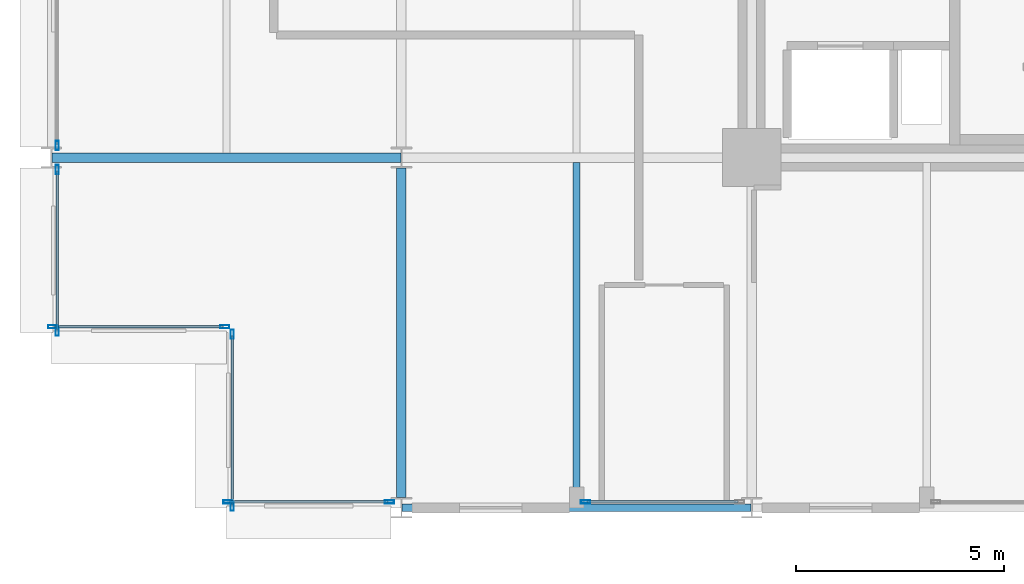
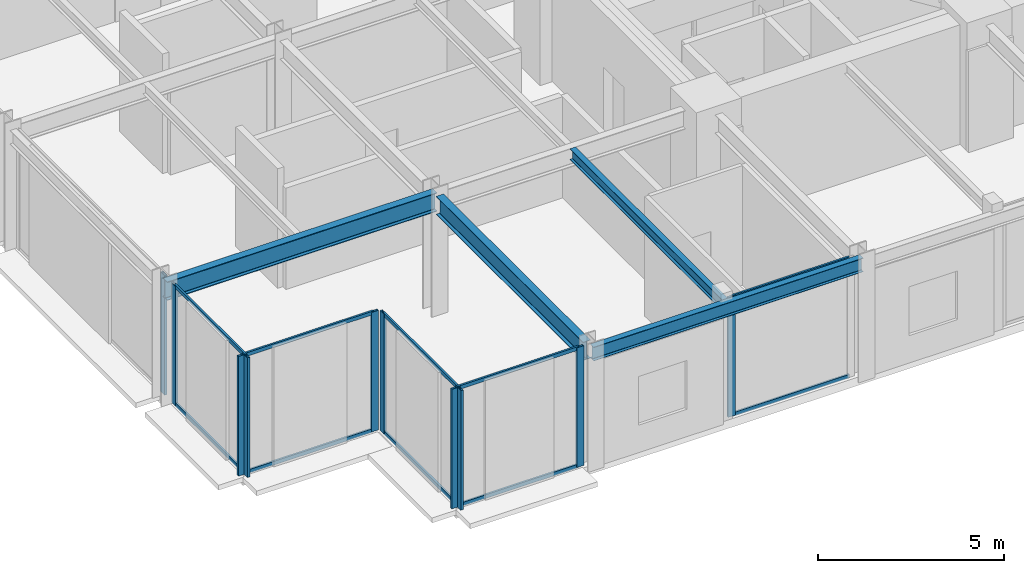
# One storey, part 4 of 27: 20 members, 4 beams, 6 elements without a shape of their own.
"""IFC4 building model written with IfcOpenShell, lengths in metres."""

from ifc_helpers import new_model, si_unit, direction, frame, origin, origin_2d, place, context, subcontext, project, spatial, hollow_rectangle, i_section, extrude, material, layer, layer_set, material_profile, profile_set, type_object, element, aggregate, save


model = new_model("IFC4")

# Units and contexts
model_context = context("Model", 3, precision=1e-05, world=origin(), true_north=direction((0.0, 1.0)))
body_context = subcontext(model_context, "Body", "Model", "MODEL_VIEW")
ifc_project = project(units=[si_unit("LENGTHUNIT", "METRE"), si_unit("AREAUNIT", "SQUARE_METRE"), si_unit("VOLUMEUNIT", "CUBIC_METRE"), si_unit("PLANEANGLEUNIT", "RADIAN"), si_unit("MASSUNIT", "GRAM", prefix="KILO")], contexts=[model_context])

# Site, building, storey
site_placement = place(None, origin())
site = spatial("IfcSite", under=ifc_project, at=site_placement, CompositionType="ELEMENT")
building_placement = place(site_placement, origin())
building = spatial("IfcBuilding", under=site, at=building_placement, Name="Nerrivon Quay Data Exchange", CompositionType="ELEMENT")
storey_placement = place(building_placement, frame((0.0, 0.0, 66.800048828125)))
storey = spatial("IfcBuildingStorey", under=building, at=storey_placement, Name="L15", CompositionType="ELEMENT", Elevation=66.800048828125)

# Beams
ifc_material_1 = material(Name="Steel Grade 350", Category="steel")
ifc_material_profile_1 = material_profile(ifc_material_1, i_section(OverallWidth=0.22900390625, OverallDepth=0.612060546875, WebThickness=0.011962890625, FlangeThickness=0.01953125, FilletRadius=0.013916015625, at=origin_2d()), Name="610UB125")
ifc_profile_set_1 = profile_set([ifc_material_profile_1], Name="Steel Grade 350")
beam_type_1 = type_object("IfcBeamType", Name="BM-G1-610UB125", PredefinedType="BEAM", material=ifc_profile_set_1)
beam_1_placement = place(storey_placement, frame((0.013916015625, 8.39990234375, 3.618896484375), z_axis=(1.0, 0.0, 0.0), x_axis=(0.0, 1.0, 0.0)))
element("IfcBeam", 1, at=beam_1_placement, inside=storey, type_object=beam_type_1, Name="L15 EW Girder Y=8.4 (0.0..8.4)", PredefinedType="BEAM", context=body_context, shape_type="SweptSolid", body=[
    extrude(i_section(OverallWidth=0.22900390625, OverallDepth=0.612060546875, WebThickness=0.011962890625, FlangeThickness=0.01953125, FilletRadius=0.013916015625, at=origin_2d()), origin(), (0.0, 0.0, 1.0), 8.3720703125),
])
ifc_material_profile_2 = material_profile(ifc_material_1, i_section(OverallWidth=0.22802734375, OverallDepth=0.60205078125, WebThickness=0.010498046875, FlangeThickness=0.014892578125, FilletRadius=0.013916015625, at=origin_2d()), Name="610UB101")
ifc_profile_set_2 = profile_set([ifc_material_profile_2], Name="Steel Grade 350")
beam_type_2 = type_object("IfcBeamType", Name="BM-G2-610UB101", PredefinedType="BEAM", material=ifc_profile_set_2)
beam_2_placement = place(storey_placement, frame((8.39990234375, 0.25, 3.6240234375), z_axis=(0.0, 1.0, 0.0), x_axis=(-1.0, 0.0, 0.0)))
element("IfcBeam", 2, at=beam_2_placement, inside=storey, type_object=beam_type_2, Name="L15 NS Girder X=8.4 (0.0..8.4)", PredefinedType="BEAM", context=body_context, shape_type="SweptSolid", body=[
    extrude(i_section(OverallWidth=0.22802734375, OverallDepth=0.60205078125, WebThickness=0.010498046875, FlangeThickness=0.014892578125, FilletRadius=0.013916015625, at=origin_2d()), origin(), (0.0, 0.0, 1.0), 7.89990234375),
])
ifc_material_profile_3 = material_profile(ifc_material_1, i_section(OverallWidth=0.172119140625, OverallDepth=0.35888671875, WebThickness=0.008056640625, FlangeThickness=0.012939453125, FilletRadius=0.011474609375, at=origin_2d()), Name="360UB56.7")
ifc_profile_set_3 = profile_set([ifc_material_profile_3], Name="Steel Grade 350")
beam_type_3 = type_object("IfcBeamType", Name="BM-J3-360UB57", PredefinedType="JOIST", material=ifc_profile_set_3)
beam_3_placement = place(storey_placement, frame((12.60009765625, 0.094970703125, 3.745361328125), z_axis=(0.0, 1.0, 0.0), x_axis=(-1.0, 0.0, 0.0)))
element("IfcBeam", 3, at=beam_3_placement, inside=storey, type_object=beam_type_3, Name="L15 Secondary Joist X=12.6 (0.0..8.4)", PredefinedType="JOIST", context=body_context, shape_type="SweptSolid", body=[
    extrude(i_section(OverallWidth=0.172119140625, OverallDepth=0.35888671875, WebThickness=0.008056640625, FlangeThickness=0.012939453125, FilletRadius=0.011474609375, at=origin_2d()), origin(), (0.0, 0.0, 1.0), 8.1904296875),
])
ifc_material_profile_4 = material_profile(ifc_material_1, i_section(OverallWidth=0.18994140625, OverallDepth=0.4541015625, WebThickness=0.008544921875, FlangeThickness=0.0126953125, FilletRadius=0.011474609375, at=origin_2d()), Name="460UB67.1")
ifc_profile_set_4 = profile_set([ifc_material_profile_4], Name="Steel Grade 350")
beam_type_4 = type_object("IfcBeamType", Name="BM-SP1-460UB67", PredefinedType="SPANDREL", material=ifc_profile_set_4)
beam_4_placement = place(storey_placement, frame((8.4140625, 0.0, 3.697998046875), z_axis=(1.0, 0.0, 0.0), x_axis=(0.0, 1.0, 0.0)))
element("IfcBeam", 4, at=beam_4_placement, inside=storey, type_object=beam_type_4, Name="L15 EW Girder Y=0.0 (8.4..16.8)", PredefinedType="SPANDREL", context=body_context, shape_type="SweptSolid", body=[
    extrude(i_section(OverallWidth=0.18994140625, OverallDepth=0.4541015625, WebThickness=0.008544921875, FlangeThickness=0.0126953125, FilletRadius=0.011474609375, at=origin_2d()), origin(), (0.0, 0.0, 1.0), 8.371826171875),
])

# Curtain wall, member
ifc_material_2 = material(Name="Anodised aluminium 6063-T6", Category="aluminium")
ifc_layer = layer(ifc_material_2, 0.219970703125)
ifc_layer_set = layer_set([ifc_layer], Name="Anodised aluminium 6063-T6")
curtain_wall_type = type_object("IfcCurtainWallType", Name="CW-SYS-01", PredefinedType="NOTDEFINED", material=ifc_layer_set)
curtain_wall_1_placement = place(storey_placement, origin())
curtain_wall_1 = element("IfcCurtainWall", 5, at=curtain_wall_1_placement, inside=storey, type_object=curtain_wall_type, Name="L15 Unitised Curtain Wall 12", PredefinedType="NOTDEFINED")
ifc_material_profile_5 = material_profile(ifc_material_2, hollow_rectangle(XDim=0.074951171875, YDim=0.219970703125, WallThickness=0.00390625, at=origin_2d()), Name="ALU-MULL-220x75")
ifc_profile_set_5 = profile_set([ifc_material_profile_5], Name="Anodised aluminium 6063-T6")
member_type_1 = type_object("IfcMemberType", Name="CWM-220x75", PredefinedType="MULLION", material=ifc_profile_set_5)
member_1_placement = place(storey_placement, frame((12.8125, 0.139892578125, 0.0), z_axis=(0.0, 0.0, 1.0), x_axis=(0.0, -1.0, 0.0)))
member_1 = element("IfcMember", 6, at=member_1_placement, type_object=member_type_1, Name="CW01 mullion 2", PredefinedType="MULLION", context=body_context, shape_type="SweptSolid", body=[
    extrude(hollow_rectangle(XDim=0.074951171875, YDim=0.219970703125, WallThickness=0.00390625, at=origin_2d()), origin(), (0.0, 0.0, 1.0), 3.925048828125),
])

# Curtain wall, members
curtain_wall_2_placement = place(storey_placement, origin())
curtain_wall_2 = element("IfcCurtainWall", 7, at=curtain_wall_2_placement, inside=storey, type_object=curtain_wall_type, Name="L15 Unitised Curtain Wall 14", PredefinedType="NOTDEFINED")
member_2_placement = place(storey_placement, frame((8.112548828125, 0.139892578125, 0.0), z_axis=(0.0, 0.0, 1.0), x_axis=(0.0, -1.0, 0.0)))
member_2 = element("IfcMember", 8, at=member_2_placement, type_object=member_type_1, Name="CW01 mullion 1", PredefinedType="MULLION", context=body_context, shape_type="SweptSolid", body=[
    extrude(hollow_rectangle(XDim=0.074951171875, YDim=0.219970703125, WallThickness=0.00390625, at=origin_2d()), origin(), (0.0, 0.0, 1.0), 3.925048828125),
])
member_3_placement = place(storey_placement, frame((4.237548828125, 0.139892578125, 0.0), z_axis=(0.0, 0.0, 1.0), x_axis=(0.0, -1.0, 0.0)))
member_3 = element("IfcMember", 9, at=member_3_placement, type_object=member_type_1, Name="CW01 mullion 2", PredefinedType="MULLION", context=body_context, shape_type="SweptSolid", body=[
    extrude(hollow_rectangle(XDim=0.074951171875, YDim=0.219970703125, WallThickness=0.00390625, at=origin_2d()), origin(), (0.0, 0.0, 1.0), 3.925048828125),
])

curtain_wall_3_placement = place(storey_placement, origin())
curtain_wall_3 = element("IfcCurtainWall", 10, at=curtain_wall_3_placement, inside=storey, type_object=curtain_wall_type, Name="L15 Unitised Curtain Wall 15", PredefinedType="NOTDEFINED")
member_4_placement = place(storey_placement, frame((4.340087890625, 0.03759765625, 0.0), z_axis=(0.0, 0.0, 1.0), x_axis=(-1.0, 0.0, 0.0)))
member_4 = element("IfcMember", 11, at=member_4_placement, type_object=member_type_1, Name="CW01 mullion 1", PredefinedType="MULLION", context=body_context, shape_type="SweptSolid", body=[
    extrude(hollow_rectangle(XDim=0.074951171875, YDim=0.219970703125, WallThickness=0.00390625, at=origin_2d()), origin(), (0.0, 0.0, 1.0), 3.925048828125),
])
member_5_placement = place(storey_placement, frame((4.340087890625, 4.16259765625, 0.0), z_axis=(0.0, 0.0, 1.0), x_axis=(-1.0, 0.0, 0.0)))
member_5 = element("IfcMember", 12, at=member_5_placement, type_object=member_type_1, Name="CW01 mullion 2", PredefinedType="MULLION", context=body_context, shape_type="SweptSolid", body=[
    extrude(hollow_rectangle(XDim=0.074951171875, YDim=0.219970703125, WallThickness=0.00390625, at=origin_2d()), origin(), (0.0, 0.0, 1.0), 3.925048828125),
])

curtain_wall_4_placement = place(storey_placement, origin())
curtain_wall_4 = element("IfcCurtainWall", 13, at=curtain_wall_4_placement, inside=storey, type_object=curtain_wall_type, Name="L15 Unitised Curtain Wall 16", PredefinedType="NOTDEFINED")
member_6_placement = place(storey_placement, frame((4.16259765625, 4.340087890625, 0.0), z_axis=(0.0, 0.0, 1.0), x_axis=(0.0, -1.0, 0.0)))
member_6 = element("IfcMember", 14, at=member_6_placement, type_object=member_type_1, Name="CW01 mullion 1", PredefinedType="MULLION", context=body_context, shape_type="SweptSolid", body=[
    extrude(hollow_rectangle(XDim=0.074951171875, YDim=0.219970703125, WallThickness=0.00390625, at=origin_2d()), origin(), (0.0, 0.0, 1.0), 3.925048828125),
])
member_7_placement = place(storey_placement, frame((0.03759765625, 4.340087890625, 0.0), z_axis=(0.0, 0.0, 1.0), x_axis=(0.0, -1.0, 0.0)))
member_7 = element("IfcMember", 15, at=member_7_placement, type_object=member_type_1, Name="CW01 mullion 2", PredefinedType="MULLION", context=body_context, shape_type="SweptSolid", body=[
    extrude(hollow_rectangle(XDim=0.074951171875, YDim=0.219970703125, WallThickness=0.00390625, at=origin_2d()), origin(), (0.0, 0.0, 1.0), 3.925048828125),
])

curtain_wall_5_placement = place(storey_placement, origin())
curtain_wall_5 = element("IfcCurtainWall", 16, at=curtain_wall_5_placement, inside=storey, type_object=curtain_wall_type, Name="L15 Unitised Curtain Wall 17", PredefinedType="NOTDEFINED")
member_8_placement = place(storey_placement, frame((0.139892578125, 4.237548828125, 0.0), z_axis=(0.0, 0.0, 1.0), x_axis=(-1.0, 0.0, 0.0)))
member_8 = element("IfcMember", 17, at=member_8_placement, type_object=member_type_1, Name="CW01 mullion 1", PredefinedType="MULLION", context=body_context, shape_type="SweptSolid", body=[
    extrude(hollow_rectangle(XDim=0.074951171875, YDim=0.219970703125, WallThickness=0.00390625, at=origin_2d()), origin(), (0.0, 0.0, 1.0), 3.925048828125),
])
member_9_placement = place(storey_placement, frame((0.139892578125, 8.112548828125, 0.0), z_axis=(0.0, 0.0, 1.0), x_axis=(-1.0, 0.0, 0.0)))
member_9 = element("IfcMember", 18, at=member_9_placement, type_object=member_type_1, Name="CW01 mullion 2", PredefinedType="MULLION", context=body_context, shape_type="SweptSolid", body=[
    extrude(hollow_rectangle(XDim=0.074951171875, YDim=0.219970703125, WallThickness=0.00390625, at=origin_2d()), origin(), (0.0, 0.0, 1.0), 3.925048828125),
])

# Curtain wall, member
curtain_wall_6_placement = place(storey_placement, origin())
curtain_wall_6 = element("IfcCurtainWall", 19, at=curtain_wall_6_placement, inside=storey, type_object=curtain_wall_type, Name="L15 Unitised Curtain Wall 18", PredefinedType="NOTDEFINED")
member_10_placement = place(storey_placement, frame((0.139892578125, 8.6875, 0.0), z_axis=(0.0, 0.0, 1.0), x_axis=(-1.0, 0.0, 0.0)))
member_10 = element("IfcMember", 20, at=member_10_placement, type_object=member_type_1, Name="CW01 mullion 1", PredefinedType="MULLION", context=body_context, shape_type="SweptSolid", body=[
    extrude(hollow_rectangle(XDim=0.074951171875, YDim=0.219970703125, WallThickness=0.00390625, at=origin_2d()), origin(), (0.0, 0.0, 1.0), 3.925048828125),
])
aggregate(curtain_wall_6, [member_10])

# Member
ifc_material_profile_6 = material_profile(ifc_material_2, hollow_rectangle(XDim=0.06005859375, YDim=0.1201171875, WallThickness=0.003173828125, at=origin_2d()), Name="ALU-TRAN-120x60")
ifc_profile_set_6 = profile_set([ifc_material_profile_6], Name="Anodised aluminium 6063-T6")
member_type_2 = type_object("IfcMemberType", Name="CWT-120x60", PredefinedType="USERDEFINED", material=ifc_profile_set_6)
member_11_placement = place(storey_placement, frame((16.47509765625, 0.139892578125, 0.032470703125), z_axis=(-1.0, 0.0, 0.0), x_axis=(0.0, -1.0, 0.0)))
member_11 = element("IfcMember", 21, at=member_11_placement, type_object=member_type_2, Name="CW01 transom 1.1", ObjectType="TRANSOM", PredefinedType="USERDEFINED", context=body_context, shape_type="SweptSolid", body=[
    extrude(hollow_rectangle(XDim=0.06005859375, YDim=0.1201171875, WallThickness=0.003173828125, at=origin_2d()), origin(), (0.0, 0.0, 1.0), 3.625),
])

member_12_placement = place(storey_placement, frame((16.47509765625, 0.139892578125, 3.892333984375), z_axis=(-1.0, 0.0, 0.0), x_axis=(0.0, -1.0, 0.0)))
member_12 = element("IfcMember", 22, at=member_12_placement, type_object=member_type_2, Name="CW01 transom 1.2", ObjectType="TRANSOM", PredefinedType="USERDEFINED", context=body_context, shape_type="SweptSolid", body=[
    extrude(hollow_rectangle(XDim=0.06005859375, YDim=0.1201171875, WallThickness=0.003173828125, at=origin_2d()), origin(), (0.0, 0.0, 1.0), 3.625),
])

aggregate(curtain_wall_1, [member_1, member_11, member_12])

member_13_placement = place(storey_placement, frame((8.074951171875, 0.139892578125, 0.032470703125), z_axis=(-1.0, 0.0, 0.0), x_axis=(0.0, -1.0, 0.0)))
member_13 = element("IfcMember", 23, at=member_13_placement, type_object=member_type_2, Name="CW01 transom 1.1", ObjectType="TRANSOM", PredefinedType="USERDEFINED", context=body_context, shape_type="SweptSolid", body=[
    extrude(hollow_rectangle(XDim=0.06005859375, YDim=0.1201171875, WallThickness=0.003173828125, at=origin_2d()), origin(), (0.0, 0.0, 1.0), 3.800048828125),
])

member_14_placement = place(storey_placement, frame((8.074951171875, 0.139892578125, 3.892333984375), z_axis=(-1.0, 0.0, 0.0), x_axis=(0.0, -1.0, 0.0)))
member_14 = element("IfcMember", 24, at=member_14_placement, type_object=member_type_2, Name="CW01 transom 1.2", ObjectType="TRANSOM", PredefinedType="USERDEFINED", context=body_context, shape_type="SweptSolid", body=[
    extrude(hollow_rectangle(XDim=0.06005859375, YDim=0.1201171875, WallThickness=0.003173828125, at=origin_2d()), origin(), (0.0, 0.0, 1.0), 3.800048828125),
])

aggregate(curtain_wall_2, [member_2, member_3, member_13, member_14])

member_15_placement = place(storey_placement, frame((4.340087890625, 0.074951171875, 0.032470703125), z_axis=(0.0, 1.0, 0.0), x_axis=(-1.0, 0.0, 0.0)))
member_15 = element("IfcMember", 25, at=member_15_placement, type_object=member_type_2, Name="CW01 transom 1.1", ObjectType="TRANSOM", PredefinedType="USERDEFINED", context=body_context, shape_type="SweptSolid", body=[
    extrude(hollow_rectangle(XDim=0.06005859375, YDim=0.1201171875, WallThickness=0.003173828125, at=origin_2d()), origin(), (0.0, 0.0, 1.0), 4.050048828125),
])

member_16_placement = place(storey_placement, frame((4.340087890625, 0.074951171875, 3.892333984375), z_axis=(0.0, 1.0, 0.0), x_axis=(-1.0, 0.0, 0.0)))
member_16 = element("IfcMember", 26, at=member_16_placement, type_object=member_type_2, Name="CW01 transom 1.2", ObjectType="TRANSOM", PredefinedType="USERDEFINED", context=body_context, shape_type="SweptSolid", body=[
    extrude(hollow_rectangle(XDim=0.06005859375, YDim=0.1201171875, WallThickness=0.003173828125, at=origin_2d()), origin(), (0.0, 0.0, 1.0), 4.050048828125),
])

aggregate(curtain_wall_3, [member_4, member_5, member_15, member_16])

member_17_placement = place(storey_placement, frame((4.125, 4.340087890625, 0.032470703125), z_axis=(-1.0, 0.0, 0.0), x_axis=(0.0, -1.0, 0.0)))
member_17 = element("IfcMember", 27, at=member_17_placement, type_object=member_type_2, Name="CW01 transom 1.1", ObjectType="TRANSOM", PredefinedType="USERDEFINED", context=body_context, shape_type="SweptSolid", body=[
    extrude(hollow_rectangle(XDim=0.06005859375, YDim=0.1201171875, WallThickness=0.003173828125, at=origin_2d()), origin(), (0.0, 0.0, 1.0), 4.050048828125),
])

member_18_placement = place(storey_placement, frame((4.125, 4.340087890625, 3.892333984375), z_axis=(-1.0, 0.0, 0.0), x_axis=(0.0, -1.0, 0.0)))
member_18 = element("IfcMember", 28, at=member_18_placement, type_object=member_type_2, Name="CW01 transom 1.2", ObjectType="TRANSOM", PredefinedType="USERDEFINED", context=body_context, shape_type="SweptSolid", body=[
    extrude(hollow_rectangle(XDim=0.06005859375, YDim=0.1201171875, WallThickness=0.003173828125, at=origin_2d()), origin(), (0.0, 0.0, 1.0), 4.050048828125),
])

aggregate(curtain_wall_4, [member_6, member_7, member_17, member_18])

member_19_placement = place(storey_placement, frame((0.139892578125, 4.27490234375, 0.032470703125), z_axis=(0.0, 1.0, 0.0), x_axis=(-1.0, 0.0, 0.0)))
member_19 = element("IfcMember", 29, at=member_19_placement, type_object=member_type_2, Name="CW01 transom 1.1", ObjectType="TRANSOM", PredefinedType="USERDEFINED", context=body_context, shape_type="SweptSolid", body=[
    extrude(hollow_rectangle(XDim=0.06005859375, YDim=0.1201171875, WallThickness=0.003173828125, at=origin_2d()), origin(), (0.0, 0.0, 1.0), 3.800048828125),
])

member_20_placement = place(storey_placement, frame((0.139892578125, 4.27490234375, 3.892333984375), z_axis=(0.0, 1.0, 0.0), x_axis=(-1.0, 0.0, 0.0)))
member_20 = element("IfcMember", 30, at=member_20_placement, type_object=member_type_2, Name="CW01 transom 1.2", ObjectType="TRANSOM", PredefinedType="USERDEFINED", context=body_context, shape_type="SweptSolid", body=[
    extrude(hollow_rectangle(XDim=0.06005859375, YDim=0.1201171875, WallThickness=0.003173828125, at=origin_2d()), origin(), (0.0, 0.0, 1.0), 3.800048828125),
])

aggregate(curtain_wall_5, [member_8, member_9, member_19, member_20])

save(model, "model.ifc")
